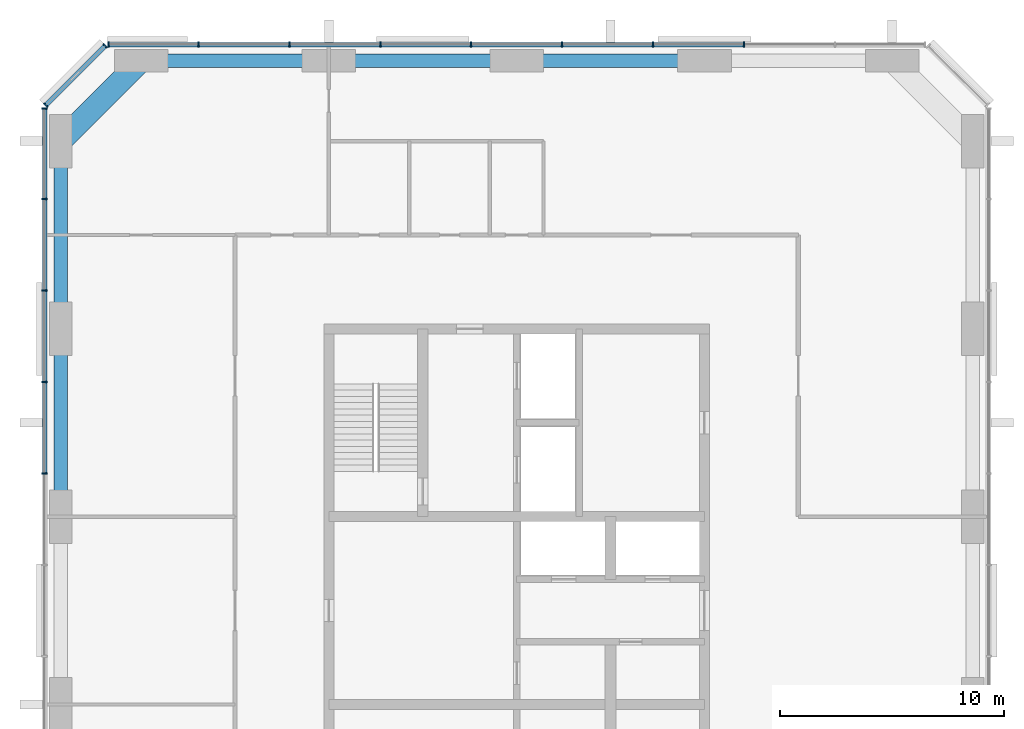
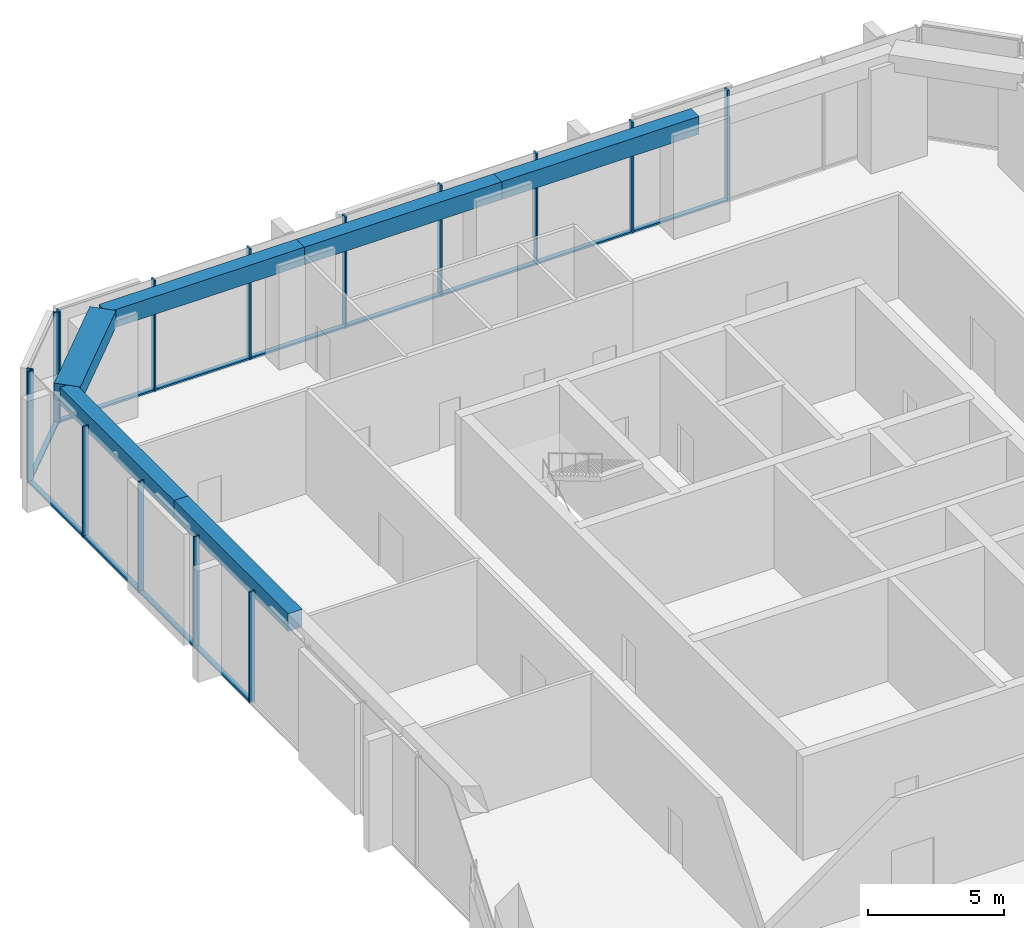
# One storey, part 4 of 9: 27 members, 6 beams, 3 elements without a shape of their own.
"""IFC4 building model written with IfcOpenShell, lengths in metres."""

from ifc_helpers import new_model, si_unit, direction, frame, origin, origin_2d, place, context, subcontext, project, spatial, rectangle, extrude, material, material_profile, profile_set, type_object, element, aggregate, save


model = new_model("IFC4")

# Units and contexts
model_context = context("Model", 3, precision=1e-05, world=origin(), true_north=direction((0.0, 1.0)))
body_context = subcontext(model_context, "Body", "Model", "MODEL_VIEW")
ifc_project = project(units=[si_unit("LENGTHUNIT", "METRE"), si_unit("AREAUNIT", "SQUARE_METRE"), si_unit("VOLUMEUNIT", "CUBIC_METRE"), si_unit("PLANEANGLEUNIT", "RADIAN"), si_unit("MASSUNIT", "GRAM", prefix="KILO")], contexts=[model_context])

# Site, building, storey
site_placement = place(None, origin())
site = spatial("IfcSite", under=ifc_project, at=site_placement, CompositionType="ELEMENT")
building_placement = place(site_placement, origin())
building = spatial("IfcBuilding", under=site, at=building_placement, Name="Dunama Terrace Hotel", CompositionType="ELEMENT")
storey_placement = place(building_placement, frame((0.0, 0.0, 284.10009765625)))
storey = spatial("IfcBuildingStorey", under=building, at=storey_placement, Name="L73", CompositionType="ELEMENT", Elevation=284.10009765625)

# Curtain wall, members
ifc_material_1 = material(Name="Aluminium curtain wall system", Category="aluminium")
curtain_wall_type = type_object("IfcCurtainWallType", Name="Unitised fritted glass wall CW-D", PredefinedType="NOTDEFINED", material=ifc_material_1)
curtain_wall_1_placement = place(storey_placement, origin())
curtain_wall_1 = element("IfcCurtainWall", 1, at=curtain_wall_1_placement, inside=storey, type_object=curtain_wall_type, Name="Unitised fritted glass wall CW-D L73", PredefinedType="NOTDEFINED")
ifc_material_2 = material(Name="Aluminium mullion", Category="aluminium")
ifc_material_profile_1 = material_profile(ifc_material_2, rectangle(XDim=0.070068359375, YDim=0.239990234375, at=origin_2d()), Name="CWD MULLION 70X240")
ifc_profile_set_1 = profile_set([ifc_material_profile_1], Name="Aluminium mullion")
member_type_1 = type_object("IfcMemberType", Name="CWD mullion 70x240", PredefinedType="MULLION", material=ifc_profile_set_1)
member_1_placement = place(storey_placement, frame((43.76708984375, 54.719970703125, 0.0), z_axis=(0.0, 0.0, 1.0), x_axis=(-1.0, 0.0, 0.0)))
member_1 = element("IfcMember", 2, at=member_1_placement, type_object=member_type_1, Name="CWD mullion", PredefinedType="MULLION", context=body_context, shape_type="SweptSolid", body=[
    extrude(rectangle(XDim=0.070068359375, YDim=0.239990234375, at=origin_2d()), origin(), (0.0, 0.0, 1.0), 5.0),
])
member_2_placement = place(storey_placement, frame((39.699951171875, 54.719970703125, 0.0), z_axis=(0.0, 0.0, 1.0), x_axis=(-1.0, 0.0, 0.0)))
member_2 = element("IfcMember", 3, at=member_2_placement, type_object=member_type_1, Name="CWD mullion", PredefinedType="MULLION", context=body_context, shape_type="SweptSolid", body=[
    extrude(rectangle(XDim=0.070068359375, YDim=0.239990234375, at=origin_2d()), origin(), (0.0, 0.0, 1.0), 5.0),
])
member_3_placement = place(storey_placement, frame((35.633056640625, 54.719970703125, 0.0), z_axis=(0.0, 0.0, 1.0), x_axis=(-1.0, 0.0, 0.0)))
member_3 = element("IfcMember", 4, at=member_3_placement, type_object=member_type_1, Name="CWD mullion", PredefinedType="MULLION", context=body_context, shape_type="SweptSolid", body=[
    extrude(rectangle(XDim=0.070068359375, YDim=0.239990234375, at=origin_2d()), origin(), (0.0, 0.0, 1.0), 5.0),
])
member_4_placement = place(storey_placement, frame((31.56689453125, 54.719970703125, 0.0), z_axis=(0.0, 0.0, 1.0), x_axis=(-1.0, 0.0, 0.0)))
member_4 = element("IfcMember", 5, at=member_4_placement, type_object=member_type_1, Name="CWD mullion", PredefinedType="MULLION", context=body_context, shape_type="SweptSolid", body=[
    extrude(rectangle(XDim=0.070068359375, YDim=0.239990234375, at=origin_2d()), origin(), (0.0, 0.0, 1.0), 5.0),
])
member_5_placement = place(storey_placement, frame((27.5, 54.719970703125, 0.0), z_axis=(0.0, 0.0, 1.0), x_axis=(-1.0, 0.0, 0.0)))
member_5 = element("IfcMember", 6, at=member_5_placement, type_object=member_type_1, Name="CWD mullion", PredefinedType="MULLION", context=body_context, shape_type="SweptSolid", body=[
    extrude(rectangle(XDim=0.070068359375, YDim=0.239990234375, at=origin_2d()), origin(), (0.0, 0.0, 1.0), 5.0),
])
member_6_placement = place(storey_placement, frame((23.43310546875, 54.719970703125, 0.0), z_axis=(0.0, 0.0, 1.0), x_axis=(-1.0, 0.0, 0.0)))
member_6 = element("IfcMember", 7, at=member_6_placement, type_object=member_type_1, Name="CWD mullion", PredefinedType="MULLION", context=body_context, shape_type="SweptSolid", body=[
    extrude(rectangle(XDim=0.070068359375, YDim=0.239990234375, at=origin_2d()), origin(), (0.0, 0.0, 1.0), 5.0),
])
member_7_placement = place(storey_placement, frame((19.366943359375, 54.719970703125, 0.0), z_axis=(0.0, 0.0, 1.0), x_axis=(-1.0, 0.0, 0.0)))
member_7 = element("IfcMember", 8, at=member_7_placement, type_object=member_type_1, Name="CWD mullion", PredefinedType="MULLION", context=body_context, shape_type="SweptSolid", body=[
    extrude(rectangle(XDim=0.070068359375, YDim=0.239990234375, at=origin_2d()), origin(), (0.0, 0.0, 1.0), 5.0),
])
member_8_placement = place(storey_placement, frame((15.3349609375, 54.719970703125, 0.0), z_axis=(0.0, 0.0, 1.0), x_axis=(-1.0, 0.0, 0.0)))
member_8 = element("IfcMember", 9, at=member_8_placement, type_object=member_type_1, Name="CWD mullion", PredefinedType="MULLION", context=body_context, shape_type="SweptSolid", body=[
    extrude(rectangle(XDim=0.070068359375, YDim=0.239990234375, at=origin_2d()), origin(), (0.0, 0.0, 1.0), 5.0),
])

curtain_wall_2_placement = place(storey_placement, origin())
curtain_wall_2 = element("IfcCurtainWall", 10, at=curtain_wall_2_placement, inside=storey, type_object=curtain_wall_type, Name="Unitised fritted glass wall CW-D L73", PredefinedType="NOTDEFINED")
member_9_placement = place(storey_placement, frame((15.18994140625, 54.659912109375, 0.0), z_axis=(0.0, 0.0, 1.0), x_axis=(-0.707106781187, -0.707106781187, 0.0)))
member_9 = element("IfcMember", 11, at=member_9_placement, type_object=member_type_1, Name="CWD mullion", PredefinedType="MULLION", context=body_context, shape_type="SweptSolid", body=[
    extrude(rectangle(XDim=0.070068359375, YDim=0.239990234375, at=origin_2d()), origin(), (0.0, 0.0, 1.0), 5.0),
])
member_10_placement = place(storey_placement, frame((12.5400390625, 52.010009765625, 0.0), z_axis=(0.0, 0.0, 1.0), x_axis=(-0.707106781187, -0.707106781187, 0.0)))
member_10 = element("IfcMember", 12, at=member_10_placement, type_object=member_type_1, Name="CWD mullion", PredefinedType="MULLION", context=body_context, shape_type="SweptSolid", body=[
    extrude(rectangle(XDim=0.070068359375, YDim=0.239990234375, at=origin_2d()), origin(), (0.0, 0.0, 1.0), 5.0),
])

curtain_wall_3_placement = place(storey_placement, origin())
curtain_wall_3 = element("IfcCurtainWall", 13, at=curtain_wall_3_placement, inside=storey, type_object=curtain_wall_type, Name="Unitised fritted glass wall CW-D L73", PredefinedType="NOTDEFINED")
member_11_placement = place(storey_placement, frame((12.47998046875, 51.864990234375, 0.0), z_axis=(0.0, 0.0, 1.0), x_axis=(0.0, -1.0, 0.0)))
member_11 = element("IfcMember", 14, at=member_11_placement, type_object=member_type_1, Name="CWD mullion", PredefinedType="MULLION", context=body_context, shape_type="SweptSolid", body=[
    extrude(rectangle(XDim=0.070068359375, YDim=0.239990234375, at=origin_2d()), origin(), (0.0, 0.0, 1.0), 5.0),
])
member_12_placement = place(storey_placement, frame((12.47998046875, 47.80908203125, 0.0), z_axis=(0.0, 0.0, 1.0), x_axis=(0.0, -1.0, 0.0)))
member_12 = element("IfcMember", 15, at=member_12_placement, type_object=member_type_1, Name="CWD mullion", PredefinedType="MULLION", context=body_context, shape_type="SweptSolid", body=[
    extrude(rectangle(XDim=0.070068359375, YDim=0.239990234375, at=origin_2d()), origin(), (0.0, 0.0, 1.0), 5.0),
])
member_13_placement = place(storey_placement, frame((12.47998046875, 43.718017578125, 0.0), z_axis=(0.0, 0.0, 1.0), x_axis=(0.0, -1.0, 0.0)))
member_13 = element("IfcMember", 16, at=member_13_placement, type_object=member_type_1, Name="CWD mullion", PredefinedType="MULLION", context=body_context, shape_type="SweptSolid", body=[
    extrude(rectangle(XDim=0.070068359375, YDim=0.239990234375, at=origin_2d()), origin(), (0.0, 0.0, 1.0), 5.0),
])
member_14_placement = place(storey_placement, frame((12.47998046875, 39.626953125, 0.0), z_axis=(0.0, 0.0, 1.0), x_axis=(0.0, -1.0, 0.0)))
member_14 = element("IfcMember", 17, at=member_14_placement, type_object=member_type_1, Name="CWD mullion", PredefinedType="MULLION", context=body_context, shape_type="SweptSolid", body=[
    extrude(rectangle(XDim=0.070068359375, YDim=0.239990234375, at=origin_2d()), origin(), (0.0, 0.0, 1.0), 5.0),
])
member_15_placement = place(storey_placement, frame((12.47998046875, 35.535888671875, 0.0), z_axis=(0.0, 0.0, 1.0), x_axis=(0.0, -1.0, 0.0)))
member_15 = element("IfcMember", 18, at=member_15_placement, type_object=member_type_1, Name="CWD mullion", PredefinedType="MULLION", context=body_context, shape_type="SweptSolid", body=[
    extrude(rectangle(XDim=0.070068359375, YDim=0.239990234375, at=origin_2d()), origin(), (0.0, 0.0, 1.0), 5.0),
])

# Member
ifc_material_3 = material(Name="Aluminium transom", Category="aluminium")
ifc_material_profile_2 = material_profile(ifc_material_3, rectangle(XDim=0.199951171875, YDim=0.0849609375, at=origin_2d()), Name="CWD TRANSOM 200X85")
ifc_profile_set_2 = profile_set([ifc_material_profile_2], Name="Aluminium transom")
member_type_2 = type_object("IfcMemberType", Name="CWD transom 200x85", PredefinedType="USERDEFINED", material=ifc_profile_set_2)
member_16_placement = place(storey_placement, frame((43.73193359375, 54.719970703125, 0.04248046875), z_axis=(-1.0, 0.0, 0.0), x_axis=(0.0, -1.0, 0.0)))
member_16 = element("IfcMember", 19, at=member_16_placement, type_object=member_type_2, Name="CWD transom", ObjectType="TRANSOM", PredefinedType="USERDEFINED", context=body_context, shape_type="SweptSolid", body=[
    extrude(rectangle(XDim=0.199951171875, YDim=0.0849609375, at=origin_2d()), origin(), (0.0, 0.0, 1.0), 3.996826171875),
])

member_17_placement = place(storey_placement, frame((39.6650390625, 54.719970703125, 0.04248046875), z_axis=(-1.0, 0.0, 0.0), x_axis=(0.0, -1.0, 0.0)))
member_17 = element("IfcMember", 20, at=member_17_placement, type_object=member_type_2, Name="CWD transom", ObjectType="TRANSOM", PredefinedType="USERDEFINED", context=body_context, shape_type="SweptSolid", body=[
    extrude(rectangle(XDim=0.199951171875, YDim=0.0849609375, at=origin_2d()), origin(), (0.0, 0.0, 1.0), 3.9970703125),
])

member_18_placement = place(storey_placement, frame((35.597900390625, 54.719970703125, 0.04248046875), z_axis=(-1.0, 0.0, 0.0), x_axis=(0.0, -1.0, 0.0)))
member_18 = element("IfcMember", 21, at=member_18_placement, type_object=member_type_2, Name="CWD transom", ObjectType="TRANSOM", PredefinedType="USERDEFINED", context=body_context, shape_type="SweptSolid", body=[
    extrude(rectangle(XDim=0.199951171875, YDim=0.0849609375, at=origin_2d()), origin(), (0.0, 0.0, 1.0), 3.995849609375),
])

member_19_placement = place(storey_placement, frame((31.531982421875, 54.719970703125, 0.04248046875), z_axis=(-1.0, 0.0, 0.0), x_axis=(0.0, -1.0, 0.0)))
member_19 = element("IfcMember", 22, at=member_19_placement, type_object=member_type_2, Name="CWD transom", ObjectType="TRANSOM", PredefinedType="USERDEFINED", context=body_context, shape_type="SweptSolid", body=[
    extrude(rectangle(XDim=0.199951171875, YDim=0.0849609375, at=origin_2d()), origin(), (0.0, 0.0, 1.0), 3.9970703125),
])

member_20_placement = place(storey_placement, frame((27.465087890625, 54.719970703125, 0.04248046875), z_axis=(-1.0, 0.0, 0.0), x_axis=(0.0, -1.0, 0.0)))
member_20 = element("IfcMember", 23, at=member_20_placement, type_object=member_type_2, Name="CWD transom", ObjectType="TRANSOM", PredefinedType="USERDEFINED", context=body_context, shape_type="SweptSolid", body=[
    extrude(rectangle(XDim=0.199951171875, YDim=0.0849609375, at=origin_2d()), origin(), (0.0, 0.0, 1.0), 3.9970703125),
])

member_21_placement = place(storey_placement, frame((23.39794921875, 54.719970703125, 0.04248046875), z_axis=(-1.0, 0.0, 0.0), x_axis=(0.0, -1.0, 0.0)))
member_21 = element("IfcMember", 24, at=member_21_placement, type_object=member_type_2, Name="CWD transom", ObjectType="TRANSOM", PredefinedType="USERDEFINED", context=body_context, shape_type="SweptSolid", body=[
    extrude(rectangle(XDim=0.199951171875, YDim=0.0849609375, at=origin_2d()), origin(), (0.0, 0.0, 1.0), 3.995849609375),
])

member_22_placement = place(storey_placement, frame((19.33203125, 54.719970703125, 0.04248046875), z_axis=(-1.0, 0.0, 0.0), x_axis=(0.0, -1.0, 0.0)))
member_22 = element("IfcMember", 25, at=member_22_placement, type_object=member_type_2, Name="CWD transom", ObjectType="TRANSOM", PredefinedType="USERDEFINED", context=body_context, shape_type="SweptSolid", body=[
    extrude(rectangle(XDim=0.199951171875, YDim=0.0849609375, at=origin_2d()), origin(), (0.0, 0.0, 1.0), 3.9619140625),
])

aggregate(curtain_wall_1, [member_1, member_2, member_3, member_4, member_5, member_6, member_7, member_8, member_16, member_17, member_18, member_19, member_20, member_21, member_22])

member_23_placement = place(storey_placement, frame((15.166015625, 54.635009765625, 0.04248046875), z_axis=(-0.707106781187, -0.707106781187, 0.0), x_axis=(0.707106781187, -0.707106781187, 0.0)))
member_23 = element("IfcMember", 26, at=member_23_placement, type_object=member_type_2, Name="CWD transom", ObjectType="TRANSOM", PredefinedType="USERDEFINED", context=body_context, shape_type="SweptSolid", body=[
    extrude(rectangle(XDim=0.199951171875, YDim=0.0849609375, at=origin_2d()), origin(), (0.0, 0.0, 1.0), 3.678466796875),
])

aggregate(curtain_wall_2, [member_9, member_10, member_23])

member_24_placement = place(storey_placement, frame((12.47998046875, 51.830078125, 0.04248046875), z_axis=(0.0, -1.0, 0.0), x_axis=(1.0, 0.0, 0.0)))
member_24 = element("IfcMember", 27, at=member_24_placement, type_object=member_type_2, Name="CWD transom", ObjectType="TRANSOM", PredefinedType="USERDEFINED", context=body_context, shape_type="SweptSolid", body=[
    extrude(rectangle(XDim=0.199951171875, YDim=0.0849609375, at=origin_2d()), origin(), (0.0, 0.0, 1.0), 3.986083984375),
])

member_25_placement = place(storey_placement, frame((12.47998046875, 47.77392578125, 0.04248046875), z_axis=(0.0, -1.0, 0.0), x_axis=(1.0, 0.0, 0.0)))
member_25 = element("IfcMember", 28, at=member_25_placement, type_object=member_type_2, Name="CWD transom", ObjectType="TRANSOM", PredefinedType="USERDEFINED", context=body_context, shape_type="SweptSolid", body=[
    extrude(rectangle(XDim=0.199951171875, YDim=0.0849609375, at=origin_2d()), origin(), (0.0, 0.0, 1.0), 4.02099609375),
])

member_26_placement = place(storey_placement, frame((12.47998046875, 43.68310546875, 0.04248046875), z_axis=(0.0, -1.0, 0.0), x_axis=(1.0, 0.0, 0.0)))
member_26 = element("IfcMember", 29, at=member_26_placement, type_object=member_type_2, Name="CWD transom", ObjectType="TRANSOM", PredefinedType="USERDEFINED", context=body_context, shape_type="SweptSolid", body=[
    extrude(rectangle(XDim=0.199951171875, YDim=0.0849609375, at=origin_2d()), origin(), (0.0, 0.0, 1.0), 4.02099609375),
])

member_27_placement = place(storey_placement, frame((12.47998046875, 39.592041015625, 0.04248046875), z_axis=(0.0, -1.0, 0.0), x_axis=(1.0, 0.0, 0.0)))
member_27 = element("IfcMember", 30, at=member_27_placement, type_object=member_type_2, Name="CWD transom", ObjectType="TRANSOM", PredefinedType="USERDEFINED", context=body_context, shape_type="SweptSolid", body=[
    extrude(rectangle(XDim=0.199951171875, YDim=0.0849609375, at=origin_2d()), origin(), (0.0, 0.0, 1.0), 4.02099609375),
])

aggregate(curtain_wall_3, [member_11, member_12, member_13, member_14, member_15, member_24, member_25, member_26, member_27])

# Beams
ifc_material_4 = material(Name="Concrete C50/60", Category="concrete")
ifc_material_profile_3 = material_profile(ifc_material_4, rectangle(XDim=1.0, YDim=0.75, at=origin_2d()), Name="RC 1000x750")
ifc_profile_set_3 = profile_set([ifc_material_profile_3], Name="Concrete C50/60")
beam_type_1 = type_object("IfcBeamType", Name="Edge beam RC 1000x750", PredefinedType="SPANDREL", material=ifc_profile_set_3)
beam_1_placement = place(storey_placement, frame((16.800048828125, 54.0, 4.625), z_axis=(-0.707106781187, -0.707106781187, 0.0), x_axis=(0.707106781187, -0.707106781187, 0.0)))
element("IfcBeam", 31, at=beam_1_placement, inside=storey, type_object=beam_type_1, Name="Corner edge beam under L74", PredefinedType="SPANDREL", context=body_context, shape_type="SweptSolid", body=[
    extrude(rectangle(XDim=1.0, YDim=0.75, at=origin_2d()), origin(), (0.0, 0.0, 1.0), 5.09130859375),
])
ifc_material_5 = material(Name="Concrete C40/50", Category="concrete")
ifc_material_profile_4 = material_profile(ifc_material_5, rectangle(XDim=0.60009765625, YDim=0.800048828125, at=origin_2d()), Name="RC 600x800")
ifc_profile_set_4 = profile_set([ifc_material_profile_4], Name="Concrete C40/50")
beam_type_2 = type_object("IfcBeamType", Name="Edge beam RC 600x800", PredefinedType="SPANDREL", material=ifc_profile_set_4)
for number, where, z_axis, x_axis, name in (
    (32, (13.199951171875, 33.60009765625, 4.599853515625), (0.0, 1.0, 0.0), (-1.0, 0.0, 0.0), "Edge beam under L74"),
    (33, (13.199951171875, 42.0, 4.599853515625), (0.0, 1.0, 0.0), (-1.0, 0.0, 0.0), "Edge beam under L74"),
    (34, (16.800048828125, 54.0, 4.599853515625), (1.0, 0.0, 0.0), (0.0, 1.0, 0.0), "Edge beam under L74"),
):
    element("IfcBeam", number, at=place(storey_placement, frame(where, z_axis=z_axis, x_axis=x_axis)), inside=storey, type_object=beam_type_2, Name=name, PredefinedType="SPANDREL", context=body_context, shape_type="SweptSolid", body=[
        extrude(rectangle(XDim=0.60009765625, YDim=0.800048828125, at=origin_2d()), origin(), (0.0, 0.0, 1.0), 8.39990234375),
    ])
beam_2_placement = place(storey_placement, frame((25.199951171875, 54.0, 4.599853515625), z_axis=(1.0, 0.0, 0.0), x_axis=(0.0, 1.0, 0.0)))
element("IfcBeam", 35, at=beam_2_placement, inside=storey, type_object=beam_type_2, Name="Edge beam under L74", PredefinedType="SPANDREL", context=body_context, shape_type="SweptSolid", body=[
    extrude(rectangle(XDim=0.60009765625, YDim=0.800048828125, at=origin_2d()), origin(), (0.0, 0.0, 1.0), 8.400146484375),
])
beam_3_placement = place(storey_placement, frame((33.60009765625, 54.0, 4.599853515625), z_axis=(1.0, 0.0, 0.0), x_axis=(0.0, 1.0, 0.0)))
element("IfcBeam", 36, at=beam_3_placement, inside=storey, type_object=beam_type_2, Name="Edge beam under L74", PredefinedType="SPANDREL", context=body_context, shape_type="SweptSolid", body=[
    extrude(rectangle(XDim=0.60009765625, YDim=0.800048828125, at=origin_2d()), origin(), (0.0, 0.0, 1.0), 8.39990234375),
])

save(model, "model.ifc")
